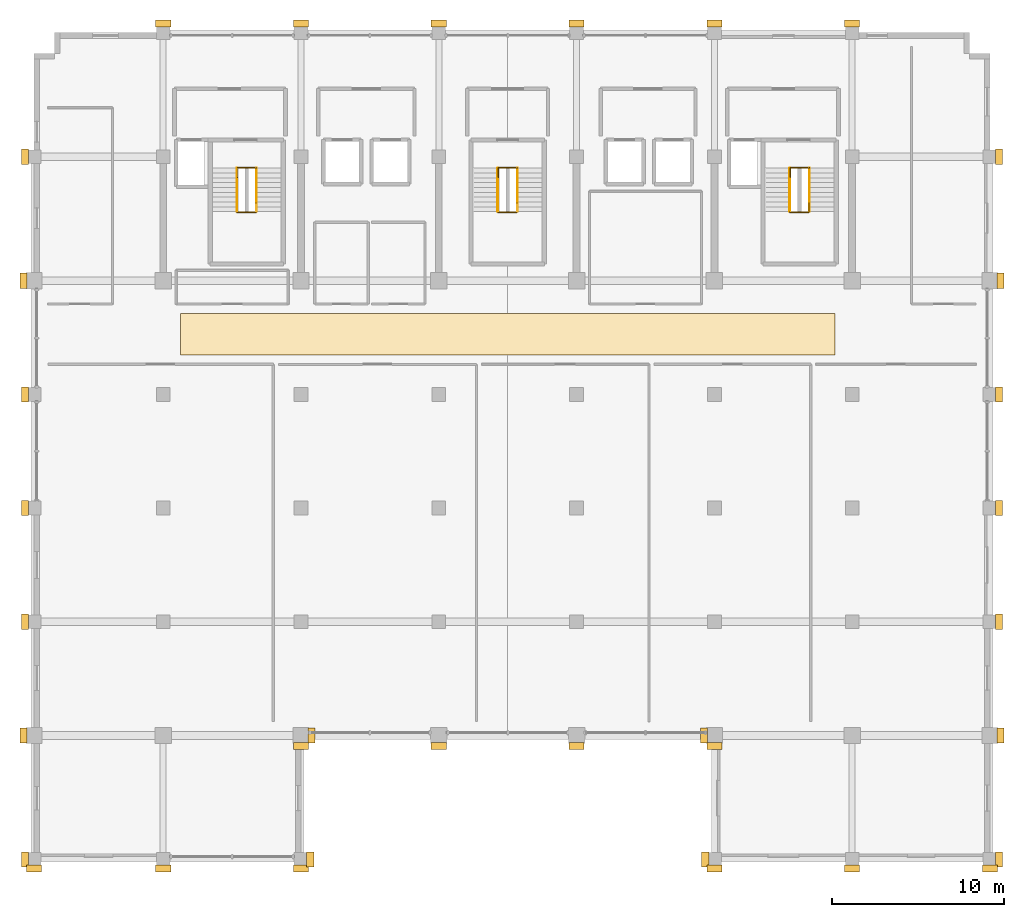
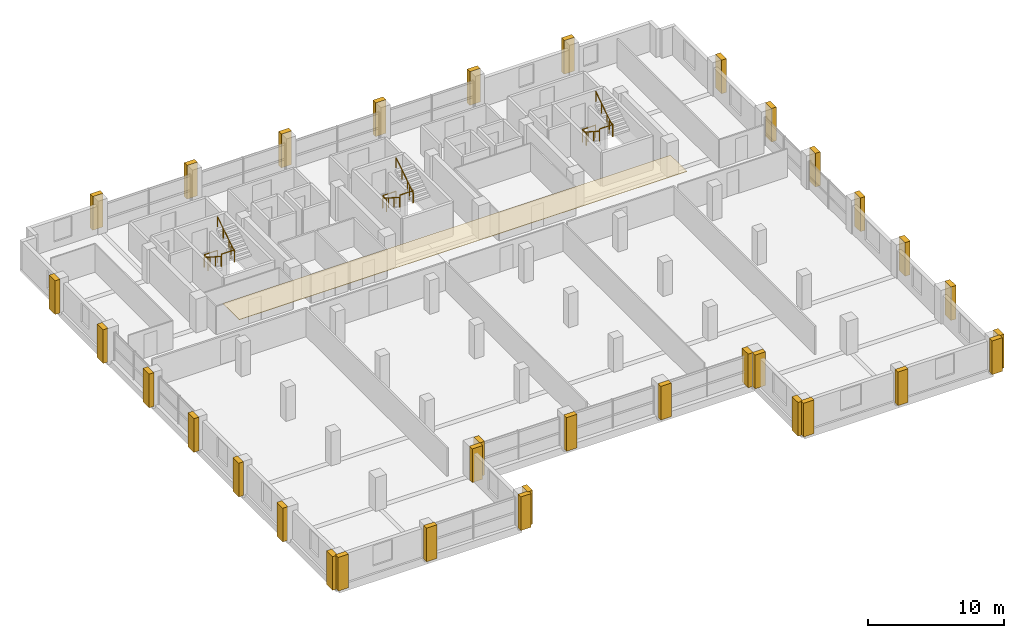
# One storey, part 23 of 23: 35 coverings, 12 railings.
"""IFC4 building model written with IfcOpenShell, lengths in metres."""

from ifc_helpers import new_model, si_unit, direction, frame, origin, origin_2d, place, context, subcontext, project, spatial, rectangle, circle, extrude, material, layer, layer_set, type_object, element, save


model = new_model("IFC4")

# Units and contexts
model_context = context("Model", 3, precision=1e-05, world=origin(), true_north=direction((0.0, 1.0)))
body_context = subcontext(model_context, "Body", "Model", "MODEL_VIEW")
ifc_project = project(units=[si_unit("LENGTHUNIT", "METRE"), si_unit("AREAUNIT", "SQUARE_METRE"), si_unit("VOLUMEUNIT", "CUBIC_METRE"), si_unit("PLANEANGLEUNIT", "RADIAN"), si_unit("MASSUNIT", "GRAM", prefix="KILO")], contexts=[model_context])

# Site, building, storey
site_placement = place(None, origin())
site = spatial("IfcSite", under=ifc_project, at=site_placement, CompositionType="ELEMENT")
building_placement = place(site_placement, origin())
building = spatial("IfcBuilding", under=site, at=building_placement, Name="Akrevak Sports Hall", CompositionType="ELEMENT")
storey_placement = place(building_placement, frame((0.0, 0.0, 47.050048828125)))
storey = spatial("IfcBuildingStorey", under=building, at=storey_placement, Name="L11", CompositionType="ELEMENT", Elevation=47.050048828125)

# Coverings
ifc_material_1 = material(Name="Perforated Acoustic Gypsum Board", Category="gypsum")
ifc_layer_1 = layer(ifc_material_1, 0.0400390625, Name="Perforated Acoustic Gypsum Board")
ifc_layer_set_1 = layer_set([ifc_layer_1], Name="Perforated Acoustic Gypsum Board")
covering_type_1 = type_object("IfcCoveringType", Name="ARC-COV-CLG-ACST", PredefinedType="CEILING", material=ifc_layer_set_1)
covering_placement = place(storey_placement, frame((80.0, 52.10009765625, 2.97998046875), z_axis=(0.0, 0.0, 1.0), x_axis=(1.0, 0.0, 0.0)))
element("IfcCovering", 1, at=covering_placement, inside=storey, type_object=covering_type_1, Name="Corridor Acoustic Ceiling L11", PredefinedType="CEILING", context=body_context, shape_type="SweptSolid", body=[
    extrude(rectangle(XDim=38.0, YDim=2.39990234375, at=origin_2d()), origin(), (0.0, 0.0, 1.0), 0.0400390625),
])
ifc_material_2 = material(Name="Limestone Ashlar", Category="stone")
ifc_layer_2 = layer(ifc_material_2, 0.47998046875, Name="Limestone Ashlar")
ifc_layer_set_2 = layer_set([ifc_layer_2], Name="Limestone Ashlar")
covering_type_2 = type_object("IfcCoveringType", Name="ARC-COV-PIL-LIM", PredefinedType="CLADDING", material=ifc_layer_set_2)
for number, where, z_axis, x_axis, name in (
    (2, (52.5, 21.070068359375, 0.0), (0.0, 0.0, 1.0), (1.0, 0.0, 0.0), "Giant-Order Limestone Pilaster L11-01-01"),
    (3, (60.0, 21.070068359375, 0.0), (0.0, 0.0, 1.0), (1.0, 0.0, 0.0), "Giant-Order Limestone Pilaster L11-01-02"),
    (4, (68.0, 21.070068359375, 0.0), (0.0, 0.0, 1.0), (1.0, 0.0, 0.0), "Giant-Order Limestone Pilaster L11-01-03"),
    (5, (68.530029296875, 21.60009765625, 0.0), (0.0, 0.0, 1.0), (0.0, 1.0, 0.0), "Giant-Order Limestone Pilaster L11-02-03"),
    (6, (68.60498046875, 28.800048828125, 0.0), (0.0, 0.0, 1.0), (0.0, 1.0, 0.0), "Giant-Order Limestone Pilaster L11-02-04"),
    (7, (68.0, 28.195068359375, 0.0), (0.0, 0.0, 1.0), (1.0, 0.0, 0.0), "Giant-Order Limestone Pilaster L11-03-04"),
    (8, (76.0, 28.195068359375, 0.0), (0.0, 0.0, 1.0), (1.0, 0.0, 0.0), "Giant-Order Limestone Pilaster L11-03-05"),
    (9, (84.0, 28.195068359375, 0.0), (0.0, 0.0, 1.0), (1.0, 0.0, 0.0), "Giant-Order Limestone Pilaster L11-03-06"),
    (10, (92.0, 28.195068359375, 0.0), (0.0, 0.0, 1.0), (1.0, 0.0, 0.0), "Giant-Order Limestone Pilaster L11-03-07"),
    (11, (91.469970703125, 21.60009765625, 0.0), (0.0, 0.0, 1.0), (0.0, -1.0, 0.0), "Giant-Order Limestone Pilaster L11-04-08"),
    (12, (91.39501953125, 28.800048828125, 0.0), (0.0, 0.0, 1.0), (0.0, -1.0, 0.0), "Giant-Order Limestone Pilaster L11-04-08"),
    (13, (92.0, 21.070068359375, 0.0), (0.0, 0.0, 1.0), (1.0, 0.0, 0.0), "Giant-Order Limestone Pilaster L11-05-08"),
    (14, (100.0, 21.070068359375, 0.0), (0.0, 0.0, 1.0), (1.0, 0.0, 0.0), "Giant-Order Limestone Pilaster L11-05-09"),
    (15, (108.0, 21.070068359375, 0.0), (0.0, 0.0, 1.0), (1.0, 0.0, 0.0), "Giant-Order Limestone Pilaster L11-05-10"),
    (16, (108.530029296875, 21.60009765625, 0.0), (0.0, 0.0, 1.0), (0.0, 1.0, 0.0), "Giant-Order Limestone Pilaster L11-06-10"),
    (17, (108.60498046875, 28.800048828125, 0.0), (0.0, 0.0, 1.0), (0.0, 1.0, 0.0), "Giant-Order Limestone Pilaster L11-06-11"),
    (18, (108.530029296875, 35.39990234375, 0.0), (0.0, 0.0, 1.0), (0.0, 1.0, 0.0), "Giant-Order Limestone Pilaster L11-06-12"),
    (19, (108.530029296875, 42.0, 0.0), (0.0, 0.0, 1.0), (0.0, 1.0, 0.0), "Giant-Order Limestone Pilaster L11-06-13"),
    (20, (108.530029296875, 48.60009765625, 0.0), (0.0, 0.0, 1.0), (0.0, 1.0, 0.0), "Giant-Order Limestone Pilaster L11-06-14"),
    (21, (108.60498046875, 55.199951171875, 0.0), (0.0, 0.0, 1.0), (0.0, 1.0, 0.0), "Giant-Order Limestone Pilaster L11-06-15"),
    (22, (108.530029296875, 62.39990234375, 0.0), (0.0, 0.0, 1.0), (0.0, 1.0, 0.0), "Giant-Order Limestone Pilaster L11-06-16"),
    (23, (60.0, 70.1298828125, 0.0), (0.0, 0.0, 1.0), (-1.0, 0.0, 0.0), "Giant-Order Limestone Pilaster L11-09-17"),
    (24, (68.0, 70.1298828125, 0.0), (0.0, 0.0, 1.0), (-1.0, 0.0, 0.0), "Giant-Order Limestone Pilaster L11-09-18"),
    (25, (76.0, 70.1298828125, 0.0), (0.0, 0.0, 1.0), (-1.0, 0.0, 0.0), "Giant-Order Limestone Pilaster L11-09-19"),
    (26, (84.0, 70.1298828125, 0.0), (0.0, 0.0, 1.0), (-1.0, 0.0, 0.0), "Giant-Order Limestone Pilaster L11-09-20"),
    (27, (92.0, 70.1298828125, 0.0), (0.0, 0.0, 1.0), (-1.0, 0.0, 0.0), "Giant-Order Limestone Pilaster L11-09-21"),
    (28, (100.0, 70.1298828125, 0.0), (0.0, 0.0, 1.0), (-1.0, 0.0, 0.0), "Giant-Order Limestone Pilaster L11-09-22"),
    (29, (51.969970703125, 21.60009765625, 0.0), (0.0, 0.0, 1.0), (0.0, -1.0, 0.0), "Giant-Order Limestone Pilaster L11-12-22"),
    (30, (51.89501953125, 28.800048828125, 0.0), (0.0, 0.0, 1.0), (0.0, -1.0, 0.0), "Giant-Order Limestone Pilaster L11-12-23"),
    (31, (51.969970703125, 35.39990234375, 0.0), (0.0, 0.0, 1.0), (0.0, -1.0, 0.0), "Giant-Order Limestone Pilaster L11-12-24"),
    (32, (51.969970703125, 42.0, 0.0), (0.0, 0.0, 1.0), (0.0, -1.0, 0.0), "Giant-Order Limestone Pilaster L11-12-25"),
    (33, (51.969970703125, 48.60009765625, 0.0), (0.0, 0.0, 1.0), (0.0, -1.0, 0.0), "Giant-Order Limestone Pilaster L11-12-26"),
    (34, (51.89501953125, 55.199951171875, 0.0), (0.0, 0.0, 1.0), (0.0, -1.0, 0.0), "Giant-Order Limestone Pilaster L11-12-27"),
    (35, (51.969970703125, 62.39990234375, 0.0), (0.0, 0.0, 1.0), (0.0, -1.0, 0.0), "Giant-Order Limestone Pilaster L11-12-28"),
):
    element("IfcCovering", number, at=place(storey_placement, frame(where, z_axis=z_axis, x_axis=x_axis)), inside=storey, type_object=covering_type_2, Name=name, PredefinedType="CLADDING", context=body_context, shape_type="SweptSolid", body=[
        extrude(rectangle(XDim=0.8798828125, YDim=0.419921875, at=origin_2d()), origin(), (0.0, 0.0, 1.0), 3.02001953125),
    ])

# Railings
ifc_material_3 = material(Name="Painted Architectural Balustrade Steel", Category="steel")
ifc_layer_3 = layer(ifc_material_3, 0.06005859375, Name="Painted Architectural Balustrade Steel")
ifc_layer_set_3 = layer_set([ifc_layer_3], Name="Painted Architectural Balustrade Steel")
railing_type_1 = type_object("IfcRailingType", Name="ARC-RL-GRD-1120", PredefinedType="GUARDRAIL", material=ifc_layer_set_3)
railing_1_placement = place(storey_placement, frame((64.31005859375, 61.215087890625, 0.0)))
element("IfcRailing", 36, at=railing_1_placement, inside=storey, type_object=railing_type_1, Name="Stair Floor Landing Well Guard ST1 (L11)", PredefinedType="GUARDRAIL", context=body_context, shape_type="SweptSolid", body=[
    extrude(circle(Radius=0.02392578125, at=origin_2d()), frame((0.0, 0.0, 1.09619140625), z_axis=(0.0, 1.0, 0.0), x_axis=(-1.0, 0.0, 0.0)), (0.0, 0.0, 1.0), 0.5498046875),
    extrude(circle(Radius=0.02392578125, at=origin_2d()), frame((0.0, 0.5498046875, 1.09619140625), z_axis=(1.0, 0.0, 0.0), x_axis=(0.0, 1.0, 0.0)), (0.0, 0.0, 1.0), 1.10986328125),
    extrude(circle(Radius=0.02099609375, at=origin_2d()), origin(), (0.0, 0.0, 1.0), 1.072021484375),
    extrude(circle(Radius=0.02099609375, at=origin_2d()), frame((0.0, 0.5498046875, 0.0)), (0.0, 0.0, 1.0), 1.072021484375),
    extrude(circle(Radius=0.02099609375, at=origin_2d()), frame((1.10986328125, 0.5498046875, 0.0)), (0.0, 0.0, 1.0), 1.072021484375),
])
railing_2_placement = place(storey_placement, frame((64.280029296875, 59.18505859375, 1.625)))
element("IfcRailing", 37, at=railing_2_placement, inside=storey, type_object=railing_type_1, Name="Stair Landing Well Guard ST1-L11-1", PredefinedType="GUARDRAIL", context=body_context, shape_type="SweptSolid", body=[
    extrude(circle(Radius=0.02392578125, at=origin_2d()), frame((0.0, 0.0, 1.09619140625), z_axis=(1.0, 0.0, 0.0), x_axis=(0.0, 1.0, 0.0)), (0.0, 0.0, 1.0), 1.10986328125),
    extrude(circle(Radius=0.02392578125, at=origin_2d()), frame((1.10986328125, 0.0, 1.09619140625), z_axis=(0.0, 1.0, 0.0), x_axis=(-1.0, 0.0, 0.0)), (0.0, 0.0, 1.0), 0.52001953125),
    extrude(circle(Radius=0.02099609375, at=origin_2d()), origin(), (0.0, 0.0, 1.0), 1.072021484375),
    extrude(circle(Radius=0.02099609375, at=origin_2d()), frame((1.10986328125, 0.0, 0.0)), (0.0, 0.0, 1.0), 1.072021484375),
    extrude(circle(Radius=0.02099609375, at=origin_2d()), frame((1.10986328125, 0.52001953125, 0.0)), (0.0, 0.0, 1.0), 1.072021484375),
])
railing_3_placement = place(storey_placement, frame((96.409912109375, 61.215087890625, 0.0)))
element("IfcRailing", 38, at=railing_3_placement, inside=storey, type_object=railing_type_1, Name="Stair Floor Landing Well Guard ST2 (L11)", PredefinedType="GUARDRAIL", context=body_context, shape_type="SweptSolid", body=[
    extrude(circle(Radius=0.02392578125, at=origin_2d()), frame((0.0, 0.0, 1.09619140625), z_axis=(0.0, 1.0, 0.0), x_axis=(-1.0, 0.0, 0.0)), (0.0, 0.0, 1.0), 0.5498046875),
    extrude(circle(Radius=0.02392578125, at=origin_2d()), frame((0.0, 0.5498046875, 1.09619140625), z_axis=(1.0, 0.0, 0.0), x_axis=(0.0, 1.0, 0.0)), (0.0, 0.0, 1.0), 1.110107421875),
    extrude(circle(Radius=0.02099609375, at=origin_2d()), origin(), (0.0, 0.0, 1.0), 1.072021484375),
    extrude(circle(Radius=0.02099609375, at=origin_2d()), frame((0.0, 0.5498046875, 0.0)), (0.0, 0.0, 1.0), 1.072021484375),
    extrude(circle(Radius=0.02099609375, at=origin_2d()), frame((1.110107421875, 0.5498046875, 0.0)), (0.0, 0.0, 1.0), 1.072021484375),
])
railing_4_placement = place(storey_placement, frame((96.3798828125, 59.18505859375, 1.625)))
element("IfcRailing", 39, at=railing_4_placement, inside=storey, type_object=railing_type_1, Name="Stair Landing Well Guard ST2-L11-1", PredefinedType="GUARDRAIL", context=body_context, shape_type="SweptSolid", body=[
    extrude(circle(Radius=0.02392578125, at=origin_2d()), frame((0.0, 0.0, 1.09619140625), z_axis=(1.0, 0.0, 0.0), x_axis=(0.0, 1.0, 0.0)), (0.0, 0.0, 1.0), 1.110107421875),
    extrude(circle(Radius=0.02392578125, at=origin_2d()), frame((1.110107421875, 0.0, 1.09619140625), z_axis=(0.0, 1.0, 0.0), x_axis=(-1.0, 0.0, 0.0)), (0.0, 0.0, 1.0), 0.52001953125),
    extrude(circle(Radius=0.02099609375, at=origin_2d()), origin(), (0.0, 0.0, 1.0), 1.072021484375),
    extrude(circle(Radius=0.02099609375, at=origin_2d()), frame((1.110107421875, 0.0, 0.0)), (0.0, 0.0, 1.0), 1.072021484375),
    extrude(circle(Radius=0.02099609375, at=origin_2d()), frame((1.110107421875, 0.52001953125, 0.0)), (0.0, 0.0, 1.0), 1.072021484375),
])
railing_5_placement = place(storey_placement, frame((79.4599609375, 61.215087890625, 0.0)))
element("IfcRailing", 40, at=railing_5_placement, inside=storey, type_object=railing_type_1, Name="Stair Floor Landing Well Guard ST3 (L11)", PredefinedType="GUARDRAIL", context=body_context, shape_type="SweptSolid", body=[
    extrude(circle(Radius=0.02392578125, at=origin_2d()), frame((0.0, 0.0, 1.09619140625), z_axis=(0.0, 1.0, 0.0), x_axis=(-1.0, 0.0, 0.0)), (0.0, 0.0, 1.0), 0.5498046875),
    extrude(circle(Radius=0.02392578125, at=origin_2d()), frame((0.0, 0.5498046875, 1.09619140625), z_axis=(1.0, 0.0, 0.0), x_axis=(0.0, 1.0, 0.0)), (0.0, 0.0, 1.0), 1.110107421875),
    extrude(circle(Radius=0.02099609375, at=origin_2d()), origin(), (0.0, 0.0, 1.0), 1.072021484375),
    extrude(circle(Radius=0.02099609375, at=origin_2d()), frame((0.0, 0.5498046875, 0.0)), (0.0, 0.0, 1.0), 1.072021484375),
    extrude(circle(Radius=0.02099609375, at=origin_2d()), frame((1.110107421875, 0.5498046875, 0.0)), (0.0, 0.0, 1.0), 1.072021484375),
])
railing_6_placement = place(storey_placement, frame((79.429931640625, 59.18505859375, 1.625)))
element("IfcRailing", 41, at=railing_6_placement, inside=storey, type_object=railing_type_1, Name="Stair Landing Well Guard ST3-L11-1", PredefinedType="GUARDRAIL", context=body_context, shape_type="SweptSolid", body=[
    extrude(circle(Radius=0.02392578125, at=origin_2d()), frame((0.0, 0.0, 1.09619140625), z_axis=(1.0, 0.0, 0.0), x_axis=(0.0, 1.0, 0.0)), (0.0, 0.0, 1.0), 1.110107421875),
    extrude(circle(Radius=0.02392578125, at=origin_2d()), frame((1.110107421875, 0.0, 1.09619140625), z_axis=(0.0, 1.0, 0.0), x_axis=(-1.0, 0.0, 0.0)), (0.0, 0.0, 1.0), 0.52001953125),
    extrude(circle(Radius=0.02099609375, at=origin_2d()), origin(), (0.0, 0.0, 1.0), 1.072021484375),
    extrude(circle(Radius=0.02099609375, at=origin_2d()), frame((1.110107421875, 0.0, 0.0)), (0.0, 0.0, 1.0), 1.072021484375),
    extrude(circle(Radius=0.02099609375, at=origin_2d()), frame((1.110107421875, 0.52001953125, 0.0)), (0.0, 0.0, 1.0), 1.072021484375),
])
ifc_material_4 = material(Name="Brushed Stainless Steel 304", Category="steel")
ifc_layer_4 = layer(ifc_material_4, 0.050048828125, Name="Brushed Stainless Steel 304")
ifc_layer_set_4 = layer_set([ifc_layer_4], Name="Brushed Stainless Steel 304")
railing_type_2 = type_object("IfcRailingType", Name="ARC-RL-HND-900", PredefinedType="HANDRAIL", material=ifc_layer_set_4)
railing_7_placement = place(storey_placement, frame((64.280029296875, 61.735107421875, 0.0)))
element("IfcRailing", 42, at=railing_7_placement, inside=storey, type_object=railing_type_2, Name="Stair Handrail ST1-L11-F1", PredefinedType="HANDRAIL", context=body_context, shape_type="SweptSolid", body=[
    extrude(circle(Radius=0.02392578125, at=origin_2d()), frame((0.0, 0.0, 0.8759765625), z_axis=(0.0, -0.840421059866, 0.541933983188), x_axis=(1.0, 0.0, 0.0)), (0.0, 0.0, 1.0), 2.99853515625),
    extrude(circle(Radius=0.02099609375, at=origin_2d()), origin(), (0.0, 0.0, 1.0), 0.851806640625),
    extrude(circle(Radius=0.02099609375, at=origin_2d()), frame((0.0, -0.840087890625, 0.541748046875)), (0.0, 0.0, 1.0), 0.851806640625),
    extrude(circle(Radius=0.02099609375, at=origin_2d()), frame((0.0, -1.679931640625, 1.083251953125)), (0.0, 0.0, 1.0), 0.851806640625),
    extrude(circle(Radius=0.02099609375, at=origin_2d()), frame((0.0, -2.52001953125, 1.625)), (0.0, 0.0, 1.0), 0.851806640625),
])
railing_8_placement = place(storey_placement, frame((65.419921875, 59.215087890625, 1.625)))
element("IfcRailing", 43, at=railing_8_placement, inside=storey, type_object=railing_type_2, Name="Stair Handrail ST1-L11-F2", PredefinedType="HANDRAIL", context=body_context, shape_type="SweptSolid", body=[
    extrude(circle(Radius=0.02392578125, at=origin_2d()), frame((0.0, 0.0, 0.8759765625), z_axis=(0.0, 0.840421059866, 0.541933983188), x_axis=(-1.0, 0.0, 0.0)), (0.0, 0.0, 1.0), 2.99853515625),
    extrude(circle(Radius=0.02099609375, at=origin_2d()), origin(), (0.0, 0.0, 1.0), 0.851806640625),
    extrude(circle(Radius=0.02099609375, at=origin_2d()), frame((0.0, 0.840087890625, 0.541748046875)), (0.0, 0.0, 1.0), 0.851806640625),
    extrude(circle(Radius=0.02099609375, at=origin_2d()), frame((0.0, 1.679931640625, 1.083251953125)), (0.0, 0.0, 1.0), 0.851806640625),
    extrude(circle(Radius=0.02099609375, at=origin_2d()), frame((0.0, 2.52001953125, 1.625)), (0.0, 0.0, 1.0), 0.851806640625),
])
railing_9_placement = place(storey_placement, frame((96.3798828125, 61.735107421875, 0.0)))
element("IfcRailing", 44, at=railing_9_placement, inside=storey, type_object=railing_type_2, Name="Stair Handrail ST2-L11-F1", PredefinedType="HANDRAIL", context=body_context, shape_type="SweptSolid", body=[
    extrude(circle(Radius=0.02392578125, at=origin_2d()), frame((0.0, 0.0, 0.8759765625), z_axis=(0.0, -0.840421059866, 0.541933983188), x_axis=(1.0, 0.0, 0.0)), (0.0, 0.0, 1.0), 2.99853515625),
    extrude(circle(Radius=0.02099609375, at=origin_2d()), origin(), (0.0, 0.0, 1.0), 0.851806640625),
    extrude(circle(Radius=0.02099609375, at=origin_2d()), frame((0.0, -0.840087890625, 0.541748046875)), (0.0, 0.0, 1.0), 0.851806640625),
    extrude(circle(Radius=0.02099609375, at=origin_2d()), frame((0.0, -1.679931640625, 1.083251953125)), (0.0, 0.0, 1.0), 0.851806640625),
    extrude(circle(Radius=0.02099609375, at=origin_2d()), frame((0.0, -2.52001953125, 1.625)), (0.0, 0.0, 1.0), 0.851806640625),
])
railing_10_placement = place(storey_placement, frame((97.52001953125, 59.215087890625, 1.625)))
element("IfcRailing", 45, at=railing_10_placement, inside=storey, type_object=railing_type_2, Name="Stair Handrail ST2-L11-F2", PredefinedType="HANDRAIL", context=body_context, shape_type="SweptSolid", body=[
    extrude(circle(Radius=0.02392578125, at=origin_2d()), frame((0.0, 0.0, 0.8759765625), z_axis=(0.0, 0.840421059866, 0.541933983188), x_axis=(-1.0, 0.0, 0.0)), (0.0, 0.0, 1.0), 2.99853515625),
    extrude(circle(Radius=0.02099609375, at=origin_2d()), origin(), (0.0, 0.0, 1.0), 0.851806640625),
    extrude(circle(Radius=0.02099609375, at=origin_2d()), frame((0.0, 0.840087890625, 0.541748046875)), (0.0, 0.0, 1.0), 0.851806640625),
    extrude(circle(Radius=0.02099609375, at=origin_2d()), frame((0.0, 1.679931640625, 1.083251953125)), (0.0, 0.0, 1.0), 0.851806640625),
    extrude(circle(Radius=0.02099609375, at=origin_2d()), frame((0.0, 2.52001953125, 1.625)), (0.0, 0.0, 1.0), 0.851806640625),
])
railing_11_placement = place(storey_placement, frame((79.429931640625, 61.735107421875, 0.0)))
element("IfcRailing", 46, at=railing_11_placement, inside=storey, type_object=railing_type_2, Name="Stair Handrail ST3-L11-F1", PredefinedType="HANDRAIL", context=body_context, shape_type="SweptSolid", body=[
    extrude(circle(Radius=0.02392578125, at=origin_2d()), frame((0.0, 0.0, 0.8759765625), z_axis=(0.0, -0.840421059866, 0.541933983188), x_axis=(1.0, 0.0, 0.0)), (0.0, 0.0, 1.0), 2.99853515625),
    extrude(circle(Radius=0.02099609375, at=origin_2d()), origin(), (0.0, 0.0, 1.0), 0.851806640625),
    extrude(circle(Radius=0.02099609375, at=origin_2d()), frame((0.0, -0.840087890625, 0.541748046875)), (0.0, 0.0, 1.0), 0.851806640625),
    extrude(circle(Radius=0.02099609375, at=origin_2d()), frame((0.0, -1.679931640625, 1.083251953125)), (0.0, 0.0, 1.0), 0.851806640625),
    extrude(circle(Radius=0.02099609375, at=origin_2d()), frame((0.0, -2.52001953125, 1.625)), (0.0, 0.0, 1.0), 0.851806640625),
])
railing_12_placement = place(storey_placement, frame((80.570068359375, 59.215087890625, 1.625)))
element("IfcRailing", 47, at=railing_12_placement, inside=storey, type_object=railing_type_2, Name="Stair Handrail ST3-L11-F2", PredefinedType="HANDRAIL", context=body_context, shape_type="SweptSolid", body=[
    extrude(circle(Radius=0.02392578125, at=origin_2d()), frame((0.0, 0.0, 0.8759765625), z_axis=(0.0, 0.840421059866, 0.541933983188), x_axis=(-1.0, 0.0, 0.0)), (0.0, 0.0, 1.0), 2.99853515625),
    extrude(circle(Radius=0.02099609375, at=origin_2d()), origin(), (0.0, 0.0, 1.0), 0.851806640625),
    extrude(circle(Radius=0.02099609375, at=origin_2d()), frame((0.0, 0.840087890625, 0.541748046875)), (0.0, 0.0, 1.0), 0.851806640625),
    extrude(circle(Radius=0.02099609375, at=origin_2d()), frame((0.0, 1.679931640625, 1.083251953125)), (0.0, 0.0, 1.0), 0.851806640625),
    extrude(circle(Radius=0.02099609375, at=origin_2d()), frame((0.0, 2.52001953125, 1.625)), (0.0, 0.0, 1.0), 0.851806640625),
])

save(model, "model.ifc")
